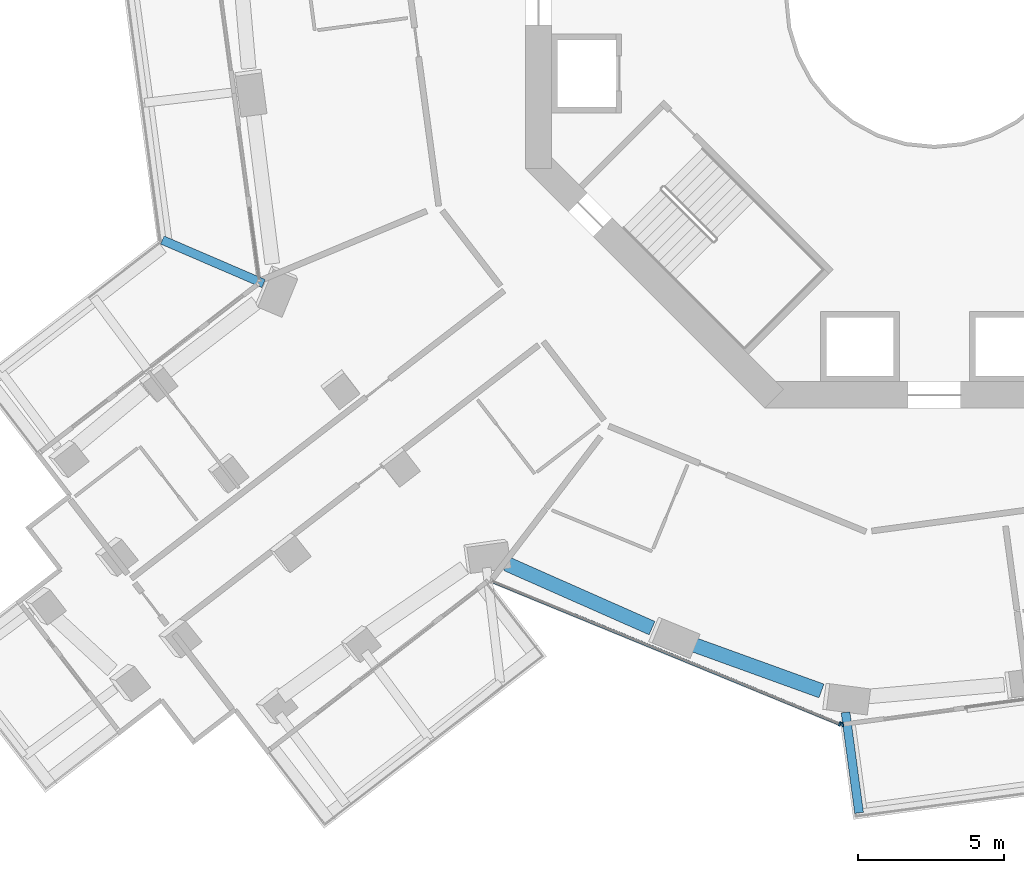
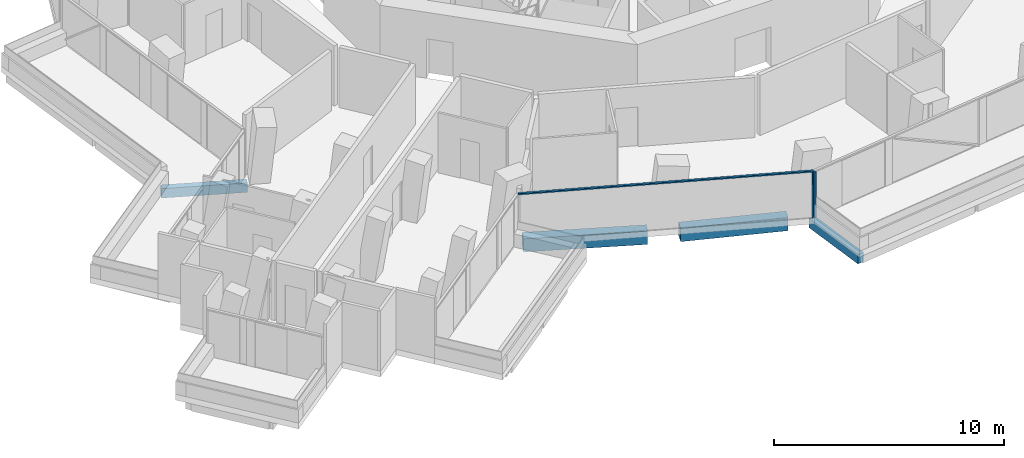
# One storey, part 3 of 27: 4 beams, 3 members, 2 elements without a shape of their own.
"""IFC4 building model written with IfcOpenShell, lengths in metres."""

from ifc_helpers import new_model, si_unit, direction, frame, origin, origin_2d, place, context, subcontext, project, spatial, rectangle, extrude, material, layer, layer_set, material_profile, profile_set, type_object, element, aggregate, save


model = new_model("IFC4")

# Units and contexts
model_context = context("Model", 3, precision=1e-05, world=origin(), true_north=direction((0.0, 1.0)))
body_context = subcontext(model_context, "Body", "Model", "MODEL_VIEW")
ifc_project = project(units=[si_unit("LENGTHUNIT", "METRE"), si_unit("AREAUNIT", "SQUARE_METRE"), si_unit("VOLUMEUNIT", "CUBIC_METRE"), si_unit("PLANEANGLEUNIT", "RADIAN"), si_unit("MASSUNIT", "GRAM", prefix="KILO")], contexts=[model_context])

# Site, building, storey
site_placement = place(None, origin())
site = spatial("IfcSite", under=ifc_project, at=site_placement, CompositionType="ELEMENT")
building_placement = place(site_placement, origin())
building = spatial("IfcBuilding", under=site, at=building_placement, Name="Verdalira Terraces Hotel", CompositionType="ELEMENT")
storey_placement = place(building_placement, frame((0.0, 0.0, 64.5)))
storey = spatial("IfcBuildingStorey", under=building, at=storey_placement, Name="L14", CompositionType="ELEMENT", Elevation=64.5)

# Beams
ifc_material_1 = material(Name="Concrete C40", Category="concrete")
ifc_material_profile_1 = material_profile(ifc_material_1, rectangle(XDim=0.300049, YDim=0.5, at=origin_2d()), Name="RC 300X500")
ifc_profile_set_1 = profile_set([ifc_material_profile_1], Name="Concrete C40")
beam_type_1 = type_object("IfcBeamType", Name="Balcony cantilever beam RC 300X500 C40", PredefinedType="BEAM", material=ifc_profile_set_1)
beam_1_placement = place(storey_placement, frame((-22.955811, -9.742676, -0.560059), z_axis=(-0.918585088, 0.395223273, 0.0), x_axis=(-0.395223273, -0.918585088, 0.0)))
element("IfcBeam", 1, at=beam_1_placement, inside=storey, type_object=beam_type_1, Name="Balcony cantilever beam R13-5", PredefinedType="BEAM", context=body_context, shape_type="SweptSolid", body=[
    extrude(rectangle(XDim=0.300049, YDim=0.5, at=origin_2d()), origin(), (0.0, 0.0, 1.0), 3.772461),
])
beam_2_placement = place(storey_placement, frame((-3.042236, -24.414551, -0.560059), z_axis=(0.133633985, -0.991030755, 0.0), x_axis=(0.991030755, 0.133633985, 0.0)))
element("IfcBeam", 2, at=beam_2_placement, inside=storey, type_object=beam_type_1, Name="Balcony cantilever beam R26-1", PredefinedType="BEAM", context=body_context, shape_type="SweptSolid", body=[
    extrude(rectangle(XDim=0.300049, YDim=0.5, at=origin_2d()), origin(), (0.0, 0.0, 1.0), 3.469238),
])

# Curtain wall, member
ifc_material_2 = material(Name="Clear glass", Category="glass")
ifc_layer = layer(ifc_material_2, 0.14990234375)
ifc_layer_set = layer_set([ifc_layer], Name="CW1 curtain wall")
curtain_wall_type = type_object("IfcCurtainWallType", Name="CW1 curtain wall", PredefinedType="NOTDEFINED", material=ifc_layer_set)
curtain_wall_1_placement = place(storey_placement, origin())
curtain_wall_1 = element("IfcCurtainWall", 3, at=curtain_wall_1_placement, inside=storey, type_object=curtain_wall_type, Name="CW1 curtain wall L14 edge 25", PredefinedType="NOTDEFINED")
ifc_material_3 = material(Name="Terracotta frame", Category="masonry")
ifc_material_profile_2 = material_profile(ifc_material_3, rectangle(XDim=0.060059, YDim=0.149902, at=origin_2d()), Name="MU 60x150")
ifc_profile_set_2 = profile_set([ifc_material_profile_2], Name="Terracotta frame")
member_type_1 = type_object("IfcMemberType", Name="CW1 mullion 60x150", PredefinedType="MULLION", material=ifc_profile_set_2)
member_1_placement = place(storey_placement, frame((-3.236328, -24.813232, 0.0), z_axis=(0.0, 0.0, 1.0), x_axis=(0.925077207, -0.379779096, 0.0)))
member_1 = element("IfcMember", 4, at=member_1_placement, type_object=member_type_1, Name="CW1 mullion", PredefinedType="MULLION", context=body_context, shape_type="SweptSolid", body=[
    extrude(rectangle(XDim=0.060059, YDim=0.149902, at=origin_2d()), origin(), (0.0, 0.0, 1.0), 2.425049),
])

curtain_wall_2_placement = place(storey_placement, origin())
curtain_wall_2 = element("IfcCurtainWall", 5, at=curtain_wall_2_placement, inside=storey, type_object=curtain_wall_type, Name="CW1 curtain wall L14 edge 26", PredefinedType="NOTDEFINED")
member_2_placement = place(storey_placement, frame((-3.140381, -24.825684, 0.0), z_axis=(0.0, 0.0, 1.0), x_axis=(0.991029909, 0.133640259, 0.0)))
member_2 = element("IfcMember", 6, at=member_2_placement, type_object=member_type_1, Name="CW1 mullion", PredefinedType="MULLION", context=body_context, shape_type="SweptSolid", body=[
    extrude(rectangle(XDim=0.060059, YDim=0.149902, at=origin_2d()), origin(), (0.0, 0.0, 1.0), 2.425049),
])
aggregate(curtain_wall_2, [member_2])

# Member
ifc_material_4 = material(Name="Terracotta frame", Category="masonry")
ifc_material_profile_3 = material_profile(ifc_material_4, rectangle(XDim=0.110107, YDim=0.064941, at=origin_2d()), Name="TR 65x110")
ifc_profile_set_3 = profile_set([ifc_material_profile_3], Name="Terracotta frame")
member_type_2 = type_object("IfcMemberType", Name="CW1 transom 65x110", PredefinedType="USERDEFINED", material=ifc_profile_set_3)
member_3_placement = place(storey_placement, frame((-15.197266, -19.902832, 2.45752), z_axis=(0.925076318, -0.37978126, 0.0), x_axis=(0.37978126, 0.925076318, 0.0)))
member_3 = element("IfcMember", 7, at=member_3_placement, type_object=member_type_2, Name="CW1 transom", ObjectType="TRANSOM", PredefinedType="USERDEFINED", context=body_context, shape_type="SweptSolid", body=[
    extrude(rectangle(XDim=0.110107, YDim=0.064941, at=origin_2d()), origin(), (0.0, 0.0, 1.0), 12.959717),
])

aggregate(curtain_wall_1, [member_1, member_3])

# Beams
ifc_material_5 = material(Name="Concrete C70", Category="concrete")
ifc_material_profile_4 = material_profile(ifc_material_5, rectangle(XDim=0.5, YDim=0.699951, at=origin_2d()), Name="RC 500X700")
ifc_profile_set_4 = profile_set([ifc_material_profile_4], Name="Concrete C70")
beam_type_2 = type_object("IfcBeamType", Name="Spandrel beam RC 500X700 C70", PredefinedType="SPANDREL", material=ifc_profile_set_4)
beam_3_placement = place(storey_placement, frame((-14.638184, -19.332031, -0.659912), z_axis=(0.914552261, -0.404467751, 0.0), x_axis=(0.404467751, 0.914552261, 0.0)))
element("IfcBeam", 8, at=beam_3_placement, inside=storey, type_object=beam_type_2, Name="Spandrel beam B19", PredefinedType="SPANDREL", context=body_context, shape_type="SweptSolid", body=[
    extrude(rectangle(XDim=0.5, YDim=0.699951, at=origin_2d()), origin(), (0.0, 0.0, 1.0), 5.439209),
])
beam_4_placement = place(storey_placement, frame((-8.337402, -22.063965, -0.659912), z_axis=(0.940319959, -0.340291602, 0.0), x_axis=(0.340291602, 0.940319959, 0.0)))
element("IfcBeam", 9, at=beam_4_placement, inside=storey, type_object=beam_type_2, Name="Spandrel beam B20", PredefinedType="SPANDREL", context=body_context, shape_type="SweptSolid", body=[
    extrude(rectangle(XDim=0.5, YDim=0.699951, at=origin_2d()), origin(), (0.0, 0.0, 1.0), 4.755127),
])

save(model, "model.ifc")
